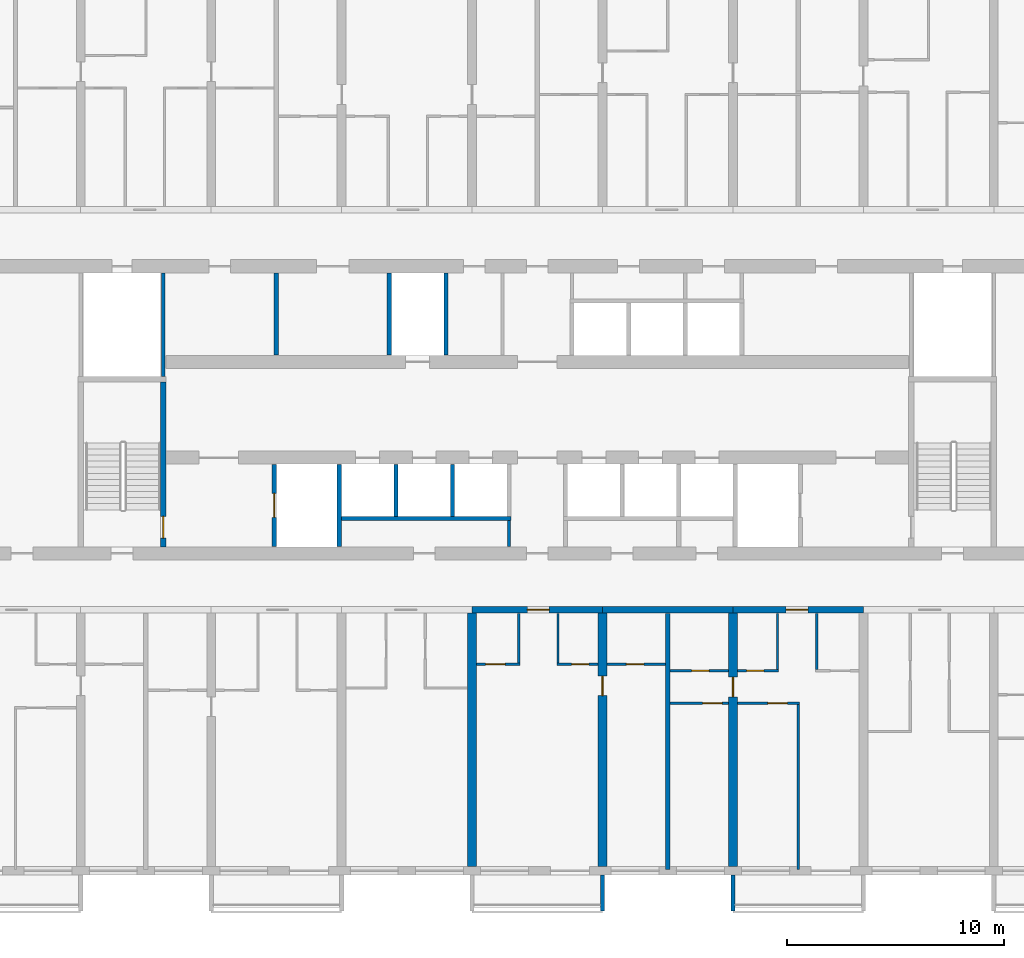
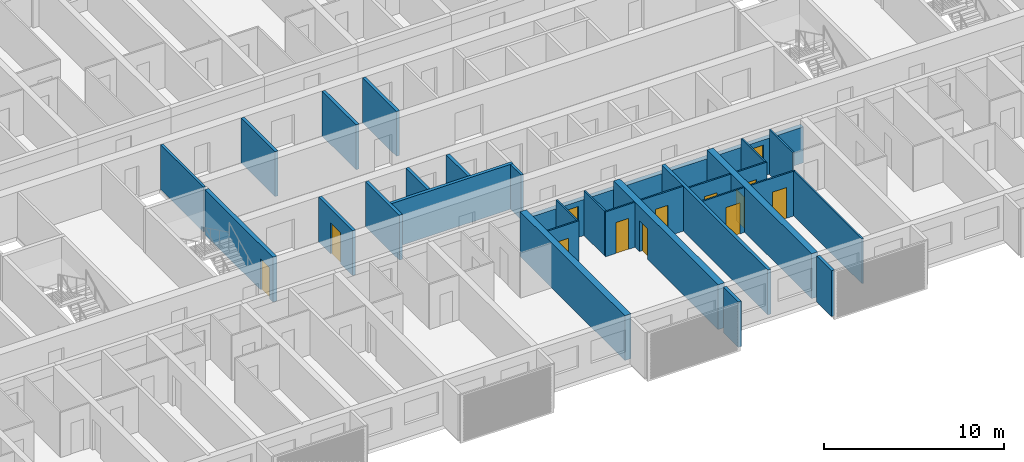
# One storey, part 6 of 38: 32 walls, 13 doors, 13 openings.
"""IFC4 building model written with IfcOpenShell, lengths in metres."""

from ifc_helpers import new_model, si_unit, direction, frame, frame_2d, origin, place, context, subcontext, project, spatial, polyline, rectangle, outline, extrude, source, transform, mapped, material, layer, layer_set, type_object, element, fill, save


model = new_model("IFC4")

# Units and contexts
model_context = context("Model", 3, precision=1e-05, world=origin(), true_north=direction((0.0, 1.0)))
body_context = subcontext(model_context, "Body", "Model", "MODEL_VIEW")
ifc_project = project(units=[si_unit("LENGTHUNIT", "METRE"), si_unit("AREAUNIT", "SQUARE_METRE"), si_unit("VOLUMEUNIT", "CUBIC_METRE"), si_unit("PLANEANGLEUNIT", "RADIAN"), si_unit("MASSUNIT", "GRAM", prefix="KILO")], contexts=[model_context])

# Site, building, storey
site_placement = place(None, origin())
site = spatial("IfcSite", under=ifc_project, at=site_placement, CompositionType="ELEMENT")
building_placement = place(site_placement, origin())
building = spatial("IfcBuilding", under=site, at=building_placement, Name="Poui Terraces", CompositionType="ELEMENT")
storey_placement = place(building_placement, frame((0.0, 0.0, 46.5)))
storey = spatial("IfcBuildingStorey", under=building, at=storey_placement, Name="L12", CompositionType="ELEMENT", Elevation=46.5)

# Wall
ifc_material_1 = material(Name="Fire-rated plasterboard wall")
ifc_layer_1 = layer(ifc_material_1, 0.14990234375)
ifc_layer_set_1 = layer_set([ifc_layer_1], Name="Fire-rated plasterboard wall")
wall_type_1 = type_object("IfcWallType", Name="CORRIDOR WALL 150", PredefinedType="PARTITIONING", material=ifc_layer_set_1)
wall_1_placement = place(storey_placement, frame((49.699951171875, 14.909912109375, 0.0), z_axis=(0.0, 0.0, 1.0), x_axis=(0.0, 1.0, 0.0)))
element("IfcWall", 1, at=wall_1_placement, inside=storey, type_object=wall_type_1, Name="CORRIDOR WALL 150", PredefinedType="PARTITIONING", context=body_context, shape_type="SweptSolid", body=[
    extrude(rectangle(XDim=1.190185546875, YDim=0.14990234375, at=frame_2d((0.59521484375, 0.0))), origin(), (0.0, 0.0, 1.0), 3.050048828125),
])

# Wall, opening, door
ifc_material_2 = material(Name="Concrete 80 MPa", Category="concrete")
ifc_layer_2 = layer(ifc_material_2, 0.300048828125)
ifc_layer_set_2 = layer_set([ifc_layer_2], Name="Concrete 80 MPa")
wall_type_2 = type_object("IfcWallType", Name="CORRIDOR WALL 300 80MPa", PredefinedType="SHEAR", material=ifc_layer_set_2)
wall_2_placement = place(storey_placement, frame((48.0, 12.0, 0.0), z_axis=(0.0, 0.0, 1.0), x_axis=(1.0, 0.0, 0.0)))
wall_2 = element("IfcWall", 2, at=wall_2_placement, inside=storey, type_object=wall_type_2, Name="CORRIDOR WALL LINE B BAY 9", PredefinedType="SHEAR", context=body_context, shape_type="SweptSolid", body=[
    extrude(rectangle(XDim=6.0, YDim=0.300048828125, at=frame_2d((3.0, 0.0))), origin(), (0.0, 0.0, 1.0), 2.449951171875),
])
opening_1_placement = place(wall_2_placement, frame((2.550048828125, 0.0, 0.0)))
opening_1 = element("IfcOpeningElement", 3, at=opening_1_placement, cuts=wall_2, Name="Opening FD30S", PredefinedType="OPENING", context=body_context, shape_type="SweptSolid", body=[
    extrude(rectangle(XDim=1.0, YDim=2.10009765625, at=frame_2d((0.5, 1.050048828125))), frame((0.0, 0.16015625, 0.0), z_axis=(0.0, -1.0, 0.0), x_axis=(1.0, 0.0, 0.0)), (0.0, 0.0, 1.0), 0.320068359375),
])
ifc_material_3 = material(Name="Steel fire door", Category="steel")
door_type_1 = type_object("IfcDoorType", Name="FLAT ENTRANCE DOOR 1000 X 2100", OperationType="NOTDEFINED", PredefinedType="DOOR", material=ifc_material_3)
door_1_placement = place(opening_1_placement, frame((1.0, 0.0, 0.0), z_axis=(0.0, 0.0, 1.0), x_axis=(-1.0, 0.0, 0.0)))
door_1 = element("IfcDoor", 4, at=door_1_placement, inside=storey, type_object=door_type_1, Name="FLAT ENTRANCE DOOR 119", OperationType="SINGLE_SWING_LEFT", OverallHeight=2.10009765625, OverallWidth=1.0, PredefinedType="DOOR", context=body_context, shape_type="SweptSolid", body=[
    extrude(rectangle(XDim=1.0, YDim=2.10009765625, at=frame_2d((0.5, 1.050048828125))), frame((0.0, 0.02490234375, 0.0), z_axis=(0.0, -1.0, 0.0), x_axis=(1.0, 0.0, 0.0)), (0.0, 0.0, 1.0), 0.050048828125),
])
fill(opening_1, door_1)

# Wall
wall_3_placement = place(storey_placement, frame((54.0, 12.0, 0.0), z_axis=(0.0, 0.0, 1.0), x_axis=(1.0, 0.0, 0.0)))
element("IfcWall", 5, at=wall_3_placement, inside=storey, type_object=wall_type_2, Name="CORRIDOR WALL LINE B BAY 10", PredefinedType="SHEAR", context=body_context, shape_type="SweptSolid", body=[
    extrude(rectangle(XDim=6.0, YDim=0.300048828125, at=frame_2d((3.0, 0.0))), origin(), (0.0, 0.0, 1.0), 2.449951171875),
])

# Wall, opening, door
wall_4_placement = place(storey_placement, frame((60.0, 12.0, 0.0), z_axis=(0.0, 0.0, 1.0), x_axis=(1.0, 0.0, 0.0)))
wall_4 = element("IfcWall", 6, at=wall_4_placement, inside=storey, type_object=wall_type_2, Name="CORRIDOR WALL LINE B BAY 11", PredefinedType="SHEAR", context=body_context, shape_type="SweptSolid", body=[
    extrude(rectangle(XDim=6.0, YDim=0.300048828125, at=frame_2d((3.0, 0.0))), origin(), (0.0, 0.0, 1.0), 2.449951171875),
])
opening_2_placement = place(wall_4_placement, frame((2.449951171875, 0.0, 0.0)))
opening_2 = element("IfcOpeningElement", 7, at=opening_2_placement, cuts=wall_4, Name="Opening FD30S", PredefinedType="OPENING", context=body_context, shape_type="SweptSolid", body=[
    extrude(rectangle(XDim=1.0, YDim=2.10009765625, at=frame_2d((0.5, 1.050048828125))), frame((0.0, 0.16015625, 0.0), z_axis=(0.0, -1.0, 0.0), x_axis=(1.0, 0.0, 0.0)), (0.0, 0.0, 1.0), 0.320068359375),
])
door_2_placement = place(opening_2_placement, frame((1.0, 0.0, 0.0), z_axis=(0.0, 0.0, 1.0), x_axis=(-1.0, 0.0, 0.0)))
door_2 = element("IfcDoor", 8, at=door_2_placement, inside=storey, type_object=door_type_1, Name="FLAT ENTRANCE DOOR 127", OperationType="SINGLE_SWING_RIGHT", OverallHeight=2.10009765625, OverallWidth=1.0, PredefinedType="DOOR", context=body_context, shape_type="SweptSolid", body=[
    extrude(rectangle(XDim=1.0, YDim=2.10009765625, at=frame_2d((0.5, 1.050048828125))), frame((0.0, 0.02490234375, 0.0), z_axis=(0.0, -1.0, 0.0), x_axis=(1.0, 0.0, 0.0)), (0.0, 0.0, 1.0), 0.050048828125),
])
fill(opening_2, door_2)

# Wall
ifc_layer_3 = layer(ifc_material_2, 0.39990234375)
ifc_layer_set_3 = layer_set([ifc_layer_3], Name="Concrete 80 MPa")
wall_type_3 = type_object("IfcWallType", Name="CROSS WALL 400 80MPa", PredefinedType="SHEAR", material=ifc_layer_set_3)
wall_5_placement = place(storey_placement, frame((48.0, 0.199951171875, 0.0), z_axis=(0.0, 0.0, 1.0), x_axis=(0.0, 1.0, 0.0)))
element("IfcWall", 9, at=wall_5_placement, inside=storey, type_object=wall_type_3, Name="CROSS WALL LINE 9 SOUTH", PredefinedType="SHEAR", context=body_context, shape_type="SweptSolid", body=[
    extrude(rectangle(XDim=11.650146484375, YDim=0.39990234375, at=frame_2d((5.8251953125, 0.0))), origin(), (0.0, 0.0, 1.0), 3.050048828125),
])

# Wall, opening, door
wall_6_placement = place(storey_placement, frame((54.0, 0.199951171875, 0.0), z_axis=(0.0, 0.0, 1.0), x_axis=(0.0, 1.0, 0.0)))
wall_6 = element("IfcWall", 10, at=wall_6_placement, inside=storey, type_object=wall_type_3, Name="CROSS WALL LINE 10 SOUTH", PredefinedType="SHEAR", context=body_context, shape_type="SweptSolid", body=[
    extrude(rectangle(XDim=11.650146484375, YDim=0.39990234375, at=frame_2d((5.8251953125, 0.0))), origin(), (0.0, 0.0, 1.0), 3.050048828125),
])
opening_3_placement = place(wall_6_placement, frame((7.85009765625, 0.0, 0.0)))
opening_3 = element("IfcOpeningElement", 11, at=opening_3_placement, cuts=wall_6, Name="Opening D90", PredefinedType="OPENING", context=body_context, shape_type="SweptSolid", body=[
    extrude(rectangle(XDim=0.89990234375, YDim=2.10009765625, at=frame_2d((0.449951171875, 1.050048828125))), frame((0.0, 0.2099609375, 0.0), z_axis=(0.0, -1.0, 0.0), x_axis=(1.0, 0.0, 0.0)), (0.0, 0.0, 1.0), 0.419921875),
])
ifc_material_4 = material(Name="Solid core timber door", Category="wood")
door_type_2 = type_object("IfcDoorType", Name="INTERNAL DOOR 900 X 2100", OperationType="NOTDEFINED", PredefinedType="DOOR", material=ifc_material_4)
door_3_placement = place(opening_3_placement, frame((0.89990234375, 0.0, 0.0), z_axis=(0.0, 0.0, 1.0), x_axis=(-1.0, 0.0, 0.0)))
door_3 = element("IfcDoor", 12, at=door_3_placement, inside=storey, type_object=door_type_2, Name="INTERNAL DOOR 121", OperationType="SINGLE_SWING_LEFT", OverallHeight=2.10009765625, OverallWidth=0.89990234375, PredefinedType="DOOR", context=body_context, shape_type="SweptSolid", body=[
    extrude(rectangle(XDim=0.89990234375, YDim=2.10009765625, at=frame_2d((0.449951171875, 1.050048828125))), frame((0.0, 0.02490234375, 0.0), z_axis=(0.0, -1.0, 0.0), x_axis=(1.0, 0.0, 0.0)), (0.0, 0.0, 1.0), 0.050048828125),
])
fill(opening_3, door_3)

wall_7_placement = place(storey_placement, frame((60.0, 0.199951171875, 0.0), z_axis=(0.0, 0.0, 1.0), x_axis=(0.0, 1.0, 0.0)))
wall_7 = element("IfcWall", 13, at=wall_7_placement, inside=storey, type_object=wall_type_3, Name="CROSS WALL LINE 11 SOUTH", PredefinedType="SHEAR", context=body_context, shape_type="SweptSolid", body=[
    extrude(rectangle(XDim=11.650146484375, YDim=0.39990234375, at=frame_2d((5.8251953125, 0.0))), origin(), (0.0, 0.0, 1.0), 3.050048828125),
])
opening_4_placement = place(wall_7_placement, frame((7.800048828125, 0.0, 0.0)))
opening_4 = element("IfcOpeningElement", 14, at=opening_4_placement, cuts=wall_7, Name="Opening D90", PredefinedType="OPENING", context=body_context, shape_type="SweptSolid", body=[
    extrude(rectangle(XDim=0.89990234375, YDim=2.10009765625, at=frame_2d((0.449951171875, 1.050048828125))), frame((0.0, 0.2099609375, 0.0), z_axis=(0.0, -1.0, 0.0), x_axis=(1.0, 0.0, 0.0)), (0.0, 0.0, 1.0), 0.419921875),
])
door_4_placement = place(opening_4_placement, frame((0.89990234375, 0.0, 0.0), z_axis=(0.0, 0.0, 1.0), x_axis=(-1.0, 0.0, 0.0)))
door_4 = element("IfcDoor", 15, at=door_4_placement, inside=storey, type_object=door_type_2, Name="INTERNAL DOOR 124", OperationType="SINGLE_SWING_LEFT", OverallHeight=2.10009765625, OverallWidth=0.89990234375, PredefinedType="DOOR", context=body_context, shape_type="SweptSolid", body=[
    extrude(rectangle(XDim=0.89990234375, YDim=2.10009765625, at=frame_2d((0.449951171875, 1.050048828125))), frame((0.0, 0.02490234375, 0.0), z_axis=(0.0, -1.0, 0.0), x_axis=(1.0, 0.0, 0.0)), (0.0, 0.0, 1.0), 0.050048828125),
])
fill(opening_4, door_4)

ifc_material_5 = material(Name="Plasterboard partition")
ifc_layer_4 = layer(ifc_material_5, 0.10009765625)
ifc_layer_set_4 = layer_set([ifc_layer_4], Name="Plasterboard partition")
wall_type_4 = type_object("IfcWallType", Name="FLAT PARTITION 100", PredefinedType="PARTITIONING", material=ifc_layer_set_4)
wall_8_placement = place(storey_placement, frame((57.10009765625, 7.699951171875, 0.0), z_axis=(0.0, 0.0, 1.0), x_axis=(1.0, 0.0, 0.0)))
wall_8 = element("IfcWall", 16, at=wall_8_placement, inside=storey, type_object=wall_type_4, Name="FLAT PARTITION 100", PredefinedType="PARTITIONING", context=body_context, shape_type="SweptSolid", body=[
    extrude(rectangle(XDim=2.68994140625, YDim=0.10009765625, at=frame_2d((1.344970703125, 0.0))), origin(), (0.0, 0.0, 1.0), 3.050048828125),
])
opening_5_placement = place(wall_8_placement, frame((1.5, 0.0, 0.0)))
opening_5 = element("IfcOpeningElement", 17, at=opening_5_placement, cuts=wall_8, Name="Opening D90", PredefinedType="OPENING", context=body_context, shape_type="SweptSolid", body=[
    extrude(rectangle(XDim=0.89990234375, YDim=2.10009765625, at=frame_2d((0.449951171875, 1.050048828125))), frame((0.0, 0.06005859375, 0.0), z_axis=(0.0, -1.0, 0.0), x_axis=(1.0, 0.0, 0.0)), (0.0, 0.0, 1.0), 0.1201171875),
])
door_5_placement = place(opening_5_placement, frame((0.89990234375, 0.0, 0.0), z_axis=(0.0, 0.0, 1.0), x_axis=(-1.0, 0.0, 0.0)))
door_5 = element("IfcDoor", 18, at=door_5_placement, inside=storey, type_object=door_type_2, Name="INTERNAL DOOR 123", OperationType="SINGLE_SWING_LEFT", OverallHeight=2.10009765625, OverallWidth=0.89990234375, PredefinedType="DOOR", context=body_context, shape_type="SweptSolid", body=[
    extrude(rectangle(XDim=0.89990234375, YDim=2.10009765625, at=frame_2d((0.449951171875, 1.050048828125))), frame((0.0, 0.02490234375, 0.0), z_axis=(0.0, -1.0, 0.0), x_axis=(1.0, 0.0, 0.0)), (0.0, 0.0, 1.0), 0.050048828125),
])
fill(opening_5, door_5)

wall_9_placement = place(storey_placement, frame((60.2099609375, 7.699951171875, 0.0), z_axis=(0.0, 0.0, 1.0), x_axis=(1.0, 0.0, 0.0)))
wall_9 = element("IfcWall", 19, at=wall_9_placement, inside=storey, type_object=wall_type_4, Name="FLAT PARTITION 100", PredefinedType="PARTITIONING", context=body_context, shape_type="SweptSolid", body=[
    extrude(rectangle(XDim=2.840087890625, YDim=0.10009765625, at=frame_2d((1.419921875, 0.0))), origin(), (0.0, 0.0, 1.0), 3.050048828125),
])
opening_6_placement = place(wall_9_placement, frame((1.389892578125, 0.0, 0.0)))
opening_6 = element("IfcOpeningElement", 20, at=opening_6_placement, cuts=wall_9, Name="Opening D90", PredefinedType="OPENING", context=body_context, shape_type="SweptSolid", body=[
    extrude(rectangle(XDim=0.89990234375, YDim=2.10009765625, at=frame_2d((0.449951171875, 1.050048828125))), frame((0.0, 0.06005859375, 0.0), z_axis=(0.0, -1.0, 0.0), x_axis=(1.0, 0.0, 0.0)), (0.0, 0.0, 1.0), 0.1201171875),
])
door_6_placement = place(opening_6_placement, origin())
door_6 = element("IfcDoor", 21, at=door_6_placement, inside=storey, type_object=door_type_2, Name="INTERNAL DOOR 126", OperationType="SINGLE_SWING_LEFT", OverallHeight=2.10009765625, OverallWidth=0.89990234375, PredefinedType="DOOR", context=body_context, shape_type="SweptSolid", body=[
    extrude(rectangle(XDim=0.89990234375, YDim=2.10009765625, at=frame_2d((0.449951171875, 1.050048828125))), frame((0.0, 0.02490234375, 0.0), z_axis=(0.0, -1.0, 0.0), x_axis=(1.0, 0.0, 0.0)), (0.0, 0.0, 1.0), 0.050048828125),
])
fill(opening_6, door_6)

wall_10_placement = place(storey_placement, frame((57.10009765625, 9.199951171875, 0.0), z_axis=(0.0, 0.0, 1.0), x_axis=(1.0, 0.0, 0.0)))
wall_10 = element("IfcWall", 22, at=wall_10_placement, inside=storey, type_object=wall_type_4, Name="FLAT PARTITION 100", PredefinedType="PARTITIONING", context=body_context, shape_type="SweptSolid", body=[
    extrude(rectangle(XDim=2.68994140625, YDim=0.10009765625, at=frame_2d((1.344970703125, 0.0))), origin(), (0.0, 0.0, 1.0), 3.050048828125),
])
opening_7_placement = place(wall_10_placement, frame((1.0, 0.0, 0.0)))
opening_7 = element("IfcOpeningElement", 23, at=opening_7_placement, cuts=wall_10, Name="Opening D80", PredefinedType="OPENING", context=body_context, shape_type="SweptSolid", body=[
    extrude(rectangle(XDim=0.800048828125, YDim=2.10009765625, at=frame_2d((0.39990234375, 1.050048828125))), frame((0.0, 0.06005859375, 0.0), z_axis=(0.0, -1.0, 0.0), x_axis=(1.0, 0.0, 0.0)), (0.0, 0.0, 1.0), 0.1201171875),
])
door_type_3 = type_object("IfcDoorType", Name="BATHROOM, LAUNDRY AND STORE DOOR 800 X 2100", OperationType="NOTDEFINED", PredefinedType="DOOR", material=ifc_material_4)
door_7_placement = place(opening_7_placement, origin())
door_7 = element("IfcDoor", 24, at=door_7_placement, inside=storey, type_object=door_type_3, Name="BATHROOM, LAUNDRY AND STORE DOOR 122", OperationType="SINGLE_SWING_LEFT", OverallHeight=2.10009765625, OverallWidth=0.800048828125, PredefinedType="DOOR", context=body_context, shape_type="SweptSolid", body=[
    extrude(rectangle(XDim=0.800048828125, YDim=2.10009765625, at=frame_2d((0.39990234375, 1.050048828125))), frame((0.0, 0.02490234375, 0.0), z_axis=(0.0, -1.0, 0.0), x_axis=(1.0, 0.0, 0.0)), (0.0, 0.0, 1.0), 0.050048828125),
])
fill(opening_7, door_7)

wall_11_placement = place(storey_placement, frame((60.2099609375, 9.199951171875, 0.0), z_axis=(0.0, 0.0, 1.0), x_axis=(1.0, 0.0, 0.0)))
wall_11 = element("IfcWall", 25, at=wall_11_placement, inside=storey, type_object=wall_type_4, Name="FLAT PARTITION 100", PredefinedType="PARTITIONING", context=body_context, shape_type="SweptSolid", body=[
    extrude(rectangle(XDim=1.89013671875, YDim=0.10009765625, at=frame_2d((0.945068359375, 0.0))), origin(), (0.0, 0.0, 1.0), 3.050048828125),
])
opening_8_placement = place(wall_11_placement, frame((0.4150390625, 0.0, 0.0)))
opening_8 = element("IfcOpeningElement", 26, at=opening_8_placement, cuts=wall_11, Name="Opening D80", PredefinedType="OPENING", context=body_context, shape_type="SweptSolid", body=[
    extrude(rectangle(XDim=0.800048828125, YDim=2.10009765625, at=frame_2d((0.39990234375, 1.050048828125))), frame((0.0, 0.06005859375, 0.0), z_axis=(0.0, -1.0, 0.0), x_axis=(1.0, 0.0, 0.0)), (0.0, 0.0, 1.0), 0.1201171875),
])
door_8_placement = place(opening_8_placement, origin())
door_8 = element("IfcDoor", 27, at=door_8_placement, inside=storey, type_object=door_type_3, Name="BATHROOM, LAUNDRY AND STORE DOOR 125", OperationType="SINGLE_SWING_RIGHT", OverallHeight=2.10009765625, OverallWidth=0.800048828125, PredefinedType="DOOR", context=body_context, shape_type="SweptSolid", body=[
    extrude(rectangle(XDim=0.800048828125, YDim=2.10009765625, at=frame_2d((0.39990234375, 1.050048828125))), frame((0.0, 0.02490234375, 0.0), z_axis=(0.0, -1.0, 0.0), x_axis=(1.0, 0.0, 0.0)), (0.0, 0.0, 1.0), 0.050048828125),
])
fill(opening_8, door_8)

wall_12_placement = place(storey_placement, frame((48.2099609375, 9.5, 0.0), z_axis=(0.0, 0.0, 1.0), x_axis=(1.0, 0.0, 0.0)))
wall_12 = element("IfcWall", 28, at=wall_12_placement, inside=storey, type_object=wall_type_4, Name="FLAT PARTITION 100", PredefinedType="PARTITIONING", context=body_context, shape_type="SweptSolid", body=[
    extrude(rectangle(XDim=1.989990234375, YDim=0.10009765625, at=frame_2d((0.9951171875, 0.0))), origin(), (0.0, 0.0, 1.0), 3.050048828125),
])
opening_9_placement = place(wall_12_placement, frame((0.4150390625, 0.0, 0.0)))
opening_9 = element("IfcOpeningElement", 29, at=opening_9_placement, cuts=wall_12, Name="Opening D90", PredefinedType="OPENING", context=body_context, shape_type="SweptSolid", body=[
    extrude(rectangle(XDim=0.89990234375, YDim=2.10009765625, at=frame_2d((0.449951171875, 1.050048828125))), frame((0.0, 0.06005859375, 0.0), z_axis=(0.0, -1.0, 0.0), x_axis=(1.0, 0.0, 0.0)), (0.0, 0.0, 1.0), 0.1201171875),
])
door_9_placement = place(opening_9_placement, origin())
door_9 = element("IfcDoor", 30, at=door_9_placement, inside=storey, type_object=door_type_2, Name="INTERNAL DOOR 118", OperationType="SINGLE_SWING_RIGHT", OverallHeight=2.10009765625, OverallWidth=0.89990234375, PredefinedType="DOOR", context=body_context, shape_type="SweptSolid", body=[
    extrude(rectangle(XDim=0.89990234375, YDim=2.10009765625, at=frame_2d((0.449951171875, 1.050048828125))), frame((0.0, 0.02490234375, 0.0), z_axis=(0.0, -1.0, 0.0), x_axis=(1.0, 0.0, 0.0)), (0.0, 0.0, 1.0), 0.050048828125),
])
fill(opening_9, door_9)

wall_13_placement = place(storey_placement, frame((51.89990234375, 9.5, 0.0), z_axis=(0.0, 0.0, 1.0), x_axis=(1.0, 0.0, 0.0)))
wall_13 = element("IfcWall", 31, at=wall_13_placement, inside=storey, type_object=wall_type_4, Name="FLAT PARTITION 100", PredefinedType="PARTITIONING", context=body_context, shape_type="SweptSolid", body=[
    extrude(rectangle(XDim=1.89013671875, YDim=0.10009765625, at=frame_2d((0.945068359375, 0.0))), origin(), (0.0, 0.0, 1.0), 3.050048828125),
])
opening_10_placement = place(wall_13_placement, frame((0.675048828125, 0.0, 0.0)))
opening_10 = element("IfcOpeningElement", 32, at=opening_10_placement, cuts=wall_13, Name="Opening D80", PredefinedType="OPENING", context=body_context, shape_type="SweptSolid", body=[
    extrude(rectangle(XDim=0.800048828125, YDim=2.10009765625, at=frame_2d((0.39990234375, 1.050048828125))), frame((0.0, 0.06005859375, 0.0), z_axis=(0.0, -1.0, 0.0), x_axis=(1.0, 0.0, 0.0)), (0.0, 0.0, 1.0), 0.1201171875),
])
door_10_placement = place(opening_10_placement, origin())
door_10 = element("IfcDoor", 33, at=door_10_placement, inside=storey, type_object=door_type_3, Name="BATHROOM, LAUNDRY AND STORE DOOR 120", OperationType="SINGLE_SWING_LEFT", OverallHeight=2.10009765625, OverallWidth=0.800048828125, PredefinedType="DOOR", context=body_context, shape_type="SweptSolid", body=[
    extrude(rectangle(XDim=0.800048828125, YDim=2.10009765625, at=frame_2d((0.39990234375, 1.050048828125))), frame((0.0, 0.02490234375, 0.0), z_axis=(0.0, -1.0, 0.0), x_axis=(1.0, 0.0, 0.0)), (0.0, 0.0, 1.0), 0.050048828125),
])
fill(opening_10, door_10)

wall_14_placement = place(storey_placement, frame((54.2099609375, 9.5, 0.0), z_axis=(0.0, 0.0, 1.0), x_axis=(1.0, 0.0, 0.0)))
wall_14 = element("IfcWall", 34, at=wall_14_placement, inside=storey, type_object=wall_type_4, Name="FLAT PARTITION 100", PredefinedType="PARTITIONING", context=body_context, shape_type="SweptSolid", body=[
    extrude(rectangle(XDim=2.68994140625, YDim=0.10009765625, at=frame_2d((1.344970703125, 0.0))), origin(), (0.0, 0.0, 1.0), 3.050048828125),
])
opening_11_placement = place(wall_14_placement, frame((0.889892578125, 0.0, 0.0)))
opening_11 = element("IfcOpeningElement", 35, at=opening_11_placement, cuts=wall_14, Name="Opening D80", PredefinedType="OPENING", context=body_context, shape_type="SweptSolid", body=[
    extrude(rectangle(XDim=0.800048828125, YDim=2.10009765625, at=frame_2d((0.39990234375, 1.050048828125))), frame((0.0, 0.06005859375, 0.0), z_axis=(0.0, -1.0, 0.0), x_axis=(1.0, 0.0, 0.0)), (0.0, 0.0, 1.0), 0.1201171875),
])
door_11_placement = place(opening_11_placement, origin())
door_11 = element("IfcDoor", 36, at=door_11_placement, inside=storey, type_object=door_type_3, Name="BATHROOM, LAUNDRY AND STORE DOOR 117", OperationType="SINGLE_SWING_LEFT", OverallHeight=2.10009765625, OverallWidth=0.800048828125, PredefinedType="DOOR", context=body_context, shape_type="SweptSolid", body=[
    extrude(rectangle(XDim=0.800048828125, YDim=2.10009765625, at=frame_2d((0.39990234375, 1.050048828125))), frame((0.0, 0.02490234375, 0.0), z_axis=(0.0, -1.0, 0.0), x_axis=(1.0, 0.0, 0.0)), (0.0, 0.0, 1.0), 0.050048828125),
])
fill(opening_11, door_11)

# Walls
for number, where, z_axis, x_axis, name in (
    (37, (50.14990234375, 9.550048828125, 0.0), (0.0, 0.0, 1.0), (0.0, 1.0, 0.0), "FLAT PARTITION 100"),
    (38, (51.949951171875, 9.550048828125, 0.0), (0.0, 0.0, 1.0), (0.0, 1.0, 0.0), "FLAT PARTITION 100"),
):
    element("IfcWall", number, at=place(storey_placement, frame(where, z_axis=z_axis, x_axis=x_axis)), inside=storey, type_object=wall_type_4, Name=name, PredefinedType="PARTITIONING", context=body_context, shape_type="SweptSolid", body=[
        extrude(rectangle(XDim=2.2900390625, YDim=0.10009765625, at=frame_2d((1.14501953125, 0.0))), origin(), (0.0, 0.0, 1.0), 3.050048828125),
    ])
wall_15_placement = place(storey_placement, frame((62.050048828125, 9.25, 0.0), z_axis=(0.0, 0.0, 1.0), x_axis=(0.0, 1.0, 0.0)))
element("IfcWall", 39, at=wall_15_placement, inside=storey, type_object=wall_type_4, Name="FLAT PARTITION 100", PredefinedType="PARTITIONING", context=body_context, shape_type="SweptSolid", body=[
    extrude(rectangle(XDim=2.590087890625, YDim=0.10009765625, at=frame_2d((1.294921875, 0.0))), origin(), (0.0, 0.0, 1.0), 3.050048828125),
])
wall_16_placement = place(storey_placement, frame((63.0, 0.06005859375, 0.0), z_axis=(0.0, 0.0, 1.0), x_axis=(0.0, 1.0, 0.0)))
element("IfcWall", 40, at=wall_16_placement, inside=storey, type_object=wall_type_4, Name="FLAT PARTITION 100", PredefinedType="PARTITIONING", context=body_context, shape_type="SweptSolid", body=[
    extrude(rectangle(XDim=7.58984375, YDim=0.10009765625, at=frame_2d((3.794921875, 0.0))), origin(), (0.0, 0.0, 1.0), 3.050048828125),
])
wall_17_placement = place(storey_placement, frame((63.85009765625, 9.25, 0.0), z_axis=(0.0, 0.0, 1.0), x_axis=(0.0, 1.0, 0.0)))
element("IfcWall", 41, at=wall_17_placement, inside=storey, type_object=wall_type_4, Name="FLAT PARTITION 100", PredefinedType="PARTITIONING", context=body_context, shape_type="SweptSolid", body=[
    extrude(rectangle(XDim=2.590087890625, YDim=0.10009765625, at=frame_2d((1.294921875, 0.0))), origin(), (0.0, 0.0, 1.0), 3.050048828125),
])
ifc_material_6 = material(Name="Fire-rated masonry wall", Category="masonry")
ifc_layer_5 = layer(ifc_material_6, 0.199951171875)
ifc_layer_set_5 = layer_set([ifc_layer_5], Name="Fire-rated masonry wall")
wall_type_5 = type_object("IfcWallType", Name="FLAT PARTY WALL 200", PredefinedType="PARTITIONING", material=ifc_layer_set_5)
wall_18_placement = place(storey_placement, frame((57.0, 0.06005859375, 0.0), z_axis=(0.0, 0.0, 1.0), x_axis=(0.0, 1.0, 0.0)))
element("IfcWall", 42, at=wall_18_placement, inside=storey, type_object=wall_type_5, Name="FLAT PARTY WALL 200", PredefinedType="PARTITIONING", context=body_context, shape_type="SweptSolid", body=[
    extrude(rectangle(XDim=11.780029296875, YDim=0.199951171875, at=frame_2d((5.89013671875, 0.0))), origin(), (0.0, 0.0, 1.0), 3.050048828125),
])
ifc_layer_6 = layer(ifc_material_6, 0.199951171875)
ifc_layer_set_6 = layer_set([ifc_layer_6], Name="Fire-rated masonry wall")
wall_type_6 = type_object("IfcWallType", Name="PLANT ROOM WALL 200", PredefinedType="PARTITIONING", material=ifc_layer_set_6)
wall_19_placement = place(storey_placement, frame((39.0, 23.7099609375, 0.0), z_axis=(0.0, 0.0, 1.0), x_axis=(0.0, 1.0, 0.0)))
element("IfcWall", 43, at=wall_19_placement, inside=storey, type_object=wall_type_6, Name="PLANT ROOM WALL 200", PredefinedType="PARTITIONING", context=body_context, shape_type="SweptSolid", body=[
    extrude(rectangle(XDim=3.780029296875, YDim=0.199951171875, at=frame_2d((1.89013671875, 0.0))), origin(), (0.0, 0.0, 1.0), 3.050048828125),
])
ifc_material_7 = material(Name="Fire-rated plasterboard riser wall")
ifc_layer_7 = layer(ifc_material_7, 0.14990234375)
ifc_layer_set_7 = layer_set([ifc_layer_7], Name="Fire-rated plasterboard riser wall")
wall_type_7 = type_object("IfcWallType", Name="RISER WALL 150", PredefinedType="PARTITIONING", material=ifc_layer_set_7)
wall_20_placement = place(storey_placement, frame((33.800048828125, 22.735107421875, 0.0), z_axis=(0.0, 0.0, 1.0), x_axis=(0.0, 1.0, 0.0)))
element("IfcWall", 44, at=wall_20_placement, inside=storey, type_object=wall_type_7, Name="RISER WALL 150", PredefinedType="PARTITIONING", context=body_context, shape_type="SweptSolid", body=[
    extrude(rectangle(XDim=4.7548828125, YDim=0.14990234375, at=frame_2d((2.37744140625, 0.0))), origin(), (0.0, 0.0, 1.0), 3.050048828125),
])
ifc_material_8 = material(Name="Fire-rated masonry shaft wall", Category="masonry")
ifc_layer_8 = layer(ifc_material_8, 0.199951171875)
ifc_layer_set_8 = layer_set([ifc_layer_8], Name="Fire-rated masonry shaft wall")
wall_type_8 = type_object("IfcWallType", Name="SHAFT WALL 200", PredefinedType="PARTITIONING", material=ifc_layer_set_8)
wall_21_placement = place(storey_placement, frame((42.0, 16.199951171875, 0.0), z_axis=(0.0, 0.0, 1.0), x_axis=(1.0, 0.0, 0.0)))
element("IfcWall", 45, at=wall_21_placement, inside=storey, type_object=wall_type_8, Name="SHAFT WALL 200", PredefinedType="PARTITIONING", context=body_context, shape_type="SweptSolid", body=[
    extrude(rectangle(XDim=7.800048828125, YDim=0.199951171875, at=frame_2d((3.89990234375, 0.0))), origin(), (0.0, 0.0, 1.0), 3.050048828125),
])

# Wall, opening, door
wall_22_placement = place(storey_placement, frame((38.89990234375, 14.909912109375, 0.0), z_axis=(0.0, 0.0, 1.0), x_axis=(0.0, 1.0, 0.0)))
wall_22 = element("IfcWall", 46, at=wall_22_placement, inside=storey, type_object=wall_type_8, Name="SHAFT WALL 200", PredefinedType="PARTITIONING", context=body_context, shape_type="SweptSolid", body=[
    extrude(rectangle(XDim=3.780029296875, YDim=0.199951171875, at=frame_2d((1.89013671875, 0.0))), origin(), (0.0, 0.0, 1.0), 3.050048828125),
])
opening_12_placement = place(wall_22_placement, frame((1.340087890625, 0.0, 0.0)))
opening_12 = element("IfcOpeningElement", 47, at=opening_12_placement, cuts=wall_22, Name="Opening LD", PredefinedType="OPENING", context=body_context, shape_type="SweptSolid", body=[
    extrude(rectangle(XDim=1.10009765625, YDim=2.10009765625, at=frame_2d((0.550048828125, 1.050048828125))), frame((0.0, 0.10986328125, 0.0), z_axis=(0.0, -1.0, 0.0), x_axis=(1.0, 0.0, 0.0)), (0.0, 0.0, 1.0), 0.219970703125),
])
ifc_material_9 = material(Name="Stainless steel sliding door", Category="steel")
door_type_4 = type_object("IfcDoorType", Name="LIFT LANDING DOOR 1100 X 2100", OperationType="DOUBLE_DOOR_SLIDING", PredefinedType="DOOR", material=ifc_material_9)
door_12_placement = place(opening_12_placement, origin())
door_12 = element("IfcDoor", 48, at=door_12_placement, inside=storey, type_object=door_type_4, Name="LANDING DOOR", OperationType="DOUBLE_DOOR_SLIDING", OverallHeight=2.10009765625, OverallWidth=1.10009765625, PredefinedType="DOOR", context=body_context, shape_type="SweptSolid", body=[
    extrude(rectangle(XDim=1.10009765625, YDim=2.10009765625, at=frame_2d((0.550048828125, 1.050048828125))), frame((0.0, 0.02490234375, 0.0), z_axis=(0.0, -1.0, 0.0), x_axis=(1.0, 0.0, 0.0)), (0.0, 0.0, 1.0), 0.050048828125),
])
fill(opening_12, door_12)

# Walls
for number, where, z_axis, x_axis, name in (
    (49, (41.89990234375, 14.909912109375, 0.0), (0.0, 0.0, 1.0), (0.0, 1.0, 0.0), "SHAFT WALL 200"),
    (50, (44.199951171875, 23.7099609375, 0.0), (0.0, 0.0, 1.0), (0.0, 1.0, 0.0), "SHAFT WALL 200"),
):
    element("IfcWall", number, at=place(storey_placement, frame(where, z_axis=z_axis, x_axis=x_axis)), inside=storey, type_object=wall_type_8, Name=name, PredefinedType="PARTITIONING", context=body_context, shape_type="SweptSolid", body=[
        extrude(rectangle(XDim=3.780029296875, YDim=0.199951171875, at=frame_2d((1.89013671875, 0.0))), origin(), (0.0, 0.0, 1.0), 3.050048828125),
    ])
wall_23_placement = place(storey_placement, frame((44.5, 16.300048828125, 0.0), z_axis=(0.0, 0.0, 1.0), x_axis=(0.0, 1.0, 0.0)))
element("IfcWall", 51, at=wall_23_placement, inside=storey, type_object=wall_type_8, Name="SHAFT WALL 200", PredefinedType="PARTITIONING", context=body_context, shape_type="SweptSolid", body=[
    extrude(rectangle(XDim=2.389892578125, YDim=0.199951171875, at=frame_2d((1.19482421875, 0.0))), origin(), (0.0, 0.0, 1.0), 3.050048828125),
])
wall_24_placement = place(storey_placement, frame((46.800048828125, 23.7099609375, 0.0), z_axis=(0.0, 0.0, 1.0), x_axis=(0.0, 1.0, 0.0)))
element("IfcWall", 52, at=wall_24_placement, inside=storey, type_object=wall_type_8, Name="SHAFT WALL 200", PredefinedType="PARTITIONING", context=body_context, shape_type="SweptSolid", body=[
    extrude(rectangle(XDim=3.780029296875, YDim=0.199951171875, at=frame_2d((1.89013671875, 0.0))), origin(), (0.0, 0.0, 1.0), 3.050048828125),
])
wall_25_placement = place(storey_placement, frame((47.10009765625, 16.300048828125, 0.0), z_axis=(0.0, 0.0, 1.0), x_axis=(0.0, 1.0, 0.0)))
element("IfcWall", 53, at=wall_25_placement, inside=storey, type_object=wall_type_8, Name="SHAFT WALL 200", PredefinedType="PARTITIONING", context=body_context, shape_type="SweptSolid", body=[
    extrude(rectangle(XDim=2.389892578125, YDim=0.199951171875, at=frame_2d((1.19482421875, 0.0))), origin(), (0.0, 0.0, 1.0), 3.050048828125),
])

# Wall, opening, door
ifc_layer_9 = layer(ifc_material_2, 0.25)
ifc_layer_set_9 = layer_set([ifc_layer_9], Name="Concrete 80 MPa")
wall_type_9 = type_object("IfcWallType", Name="STAIR CORE WALL 250 80 MPA", PredefinedType="SOLIDWALL", material=ifc_layer_set_9)
wall_26_placement = place(storey_placement, frame((33.800048828125, 14.89990234375, 0.0), z_axis=(0.0, 0.0, 1.0), x_axis=(0.0, 1.0, 0.0)))
wall_26 = element("IfcWall", 54, at=wall_26_placement, inside=storey, type_object=wall_type_9, Name="STAIR CORE WALL", PredefinedType="SOLIDWALL", context=body_context, shape_type="SweptSolid", body=[
    extrude(rectangle(XDim=7.5751953125, YDim=0.25, at=frame_2d((3.78759765625, 0.0))), origin(), (0.0, 0.0, 1.0), 3.050048828125),
])
opening_13_placement = place(wall_26_placement, frame((0.39990234375, 0.0, 0.0)))
opening_13 = element("IfcOpeningElement", 55, at=opening_13_placement, cuts=wall_26, Name="Opening FD60S", PredefinedType="OPENING", context=body_context, shape_type="SweptSolid", body=[
    extrude(rectangle(XDim=1.0, YDim=2.10009765625, at=frame_2d((0.5, 1.050048828125))), frame((0.0, 0.135009765625, 0.0), z_axis=(0.0, -1.0, 0.0), x_axis=(1.0, 0.0, 0.0)), (0.0, 0.0, 1.0), 0.27001953125),
])
door_type_5 = type_object("IfcDoorType", Name="STAIR DOOR 1000 X 2100", OperationType="NOTDEFINED", PredefinedType="DOOR", material=ifc_material_3)
door_13_placement = place(opening_13_placement, origin())
door_13 = element("IfcDoor", 56, at=door_13_placement, inside=storey, type_object=door_type_5, Name="STAIR DOOR 150", OperationType="SINGLE_SWING_LEFT", OverallHeight=2.10009765625, OverallWidth=1.0, PredefinedType="DOOR", context=body_context, shape_type="SweptSolid", body=[
    extrude(rectangle(XDim=1.0, YDim=2.10009765625, at=frame_2d((0.5, 1.050048828125))), frame((0.0, 0.02490234375, 0.0), z_axis=(0.0, -1.0, 0.0), x_axis=(1.0, 0.0, 0.0)), (0.0, 0.0, 1.0), 0.050048828125),
])
fill(opening_13, door_13)

# Walls
ifc_material_10 = material(Name="Precast concrete 40 MPa", Category="concrete")
ifc_layer_10 = layer(ifc_material_10, 0.199951171875)
ifc_layer_set_10 = layer_set([ifc_layer_10], Name="Precast concrete 40 MPa")
wall_type_10 = type_object("IfcWallType", Name="REAR FIN 200", PredefinedType="STANDARD", material=ifc_layer_set_10)
shared_shape = source(origin(), body_context, "Body", "SweptSolid", [
    extrude(outline(polyline([(0.0, 0.0), (0.2001953125, 0.0), (0.2001953125, 1.650146484375), (0.0, 1.650146484375), (0.0, 0.0)])), origin(), (0.0, 0.0, 1.0), 3.10009765625),
])
for number, where, name in (
    (57, (53.89990234375, -1.85009765625, 0.0), "REAR FIN"),
    (58, (59.89990234375, -1.85009765625, 0.0), "REAR FIN"),
):
    element("IfcWall", number, at=place(storey_placement, frame(where)), inside=storey, type_object=wall_type_10, Name=name, PredefinedType="STANDARD", context=body_context, shape_type="MappedRepresentation", body=[
        mapped(shared_shape, transform((0.0, 0.0, 0.0))),
    ])

save(model, "model.ifc")
